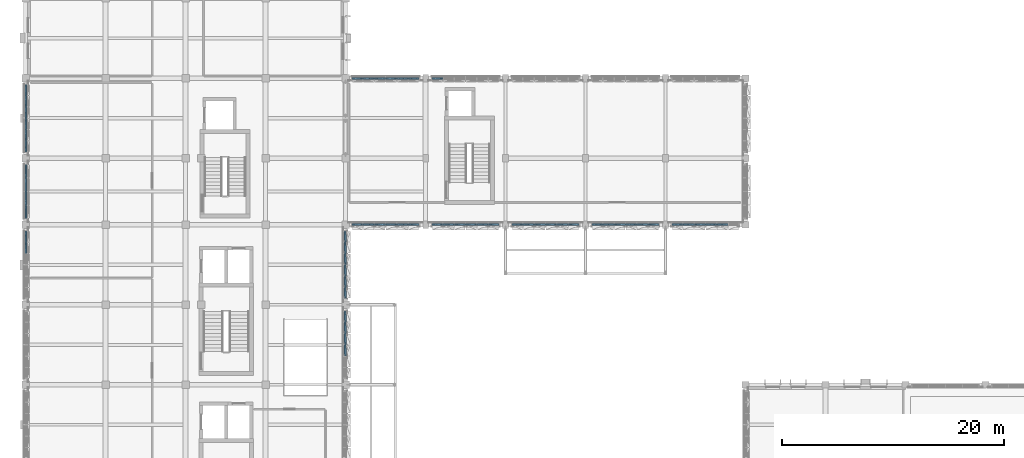
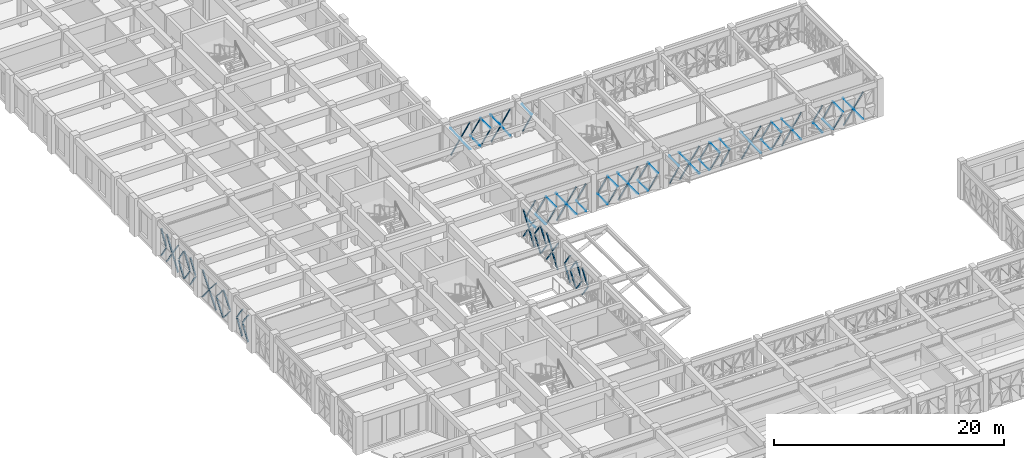
# One storey, part 53 of 88: 116 discrete accessories.
"""IFC4 building model written with IfcOpenShell, lengths in metres."""

import ifcopenshell
import ifcopenshell.guid

model = None  # the IFC model being written
_history = None  # IfcOwnerHistory: only IFC2X3 demands one
_inside = {}  # id of a spatial element -> (the spatial element, [elements in it])
_under = {}  # id of a project, library or spatial element -> (it, [spatial elements below it])
_declared = {}  # id of a project -> (the project, [libraries it declares])
_typed = {}  # id of a type object -> (the type object, [elements of that type])
_made_of = {}  # id of a material, layer set ... -> (it, [elements and type objects made of it])


def new_model(schema):
    """Start an empty IFC model of exactly this schema.

    Asked for "IFC4X3", IfcOpenShell would pick the latest addendum, in which some entities
    have other attributes; the version numbers below select the first issue.
    IFC2X3 requires an IfcOwnerHistory on every rooted entity: one is made here for all.
    """
    global model, _history
    if schema == "IFC4X3":
        model = ifcopenshell.file(schema_version=(4, 3, 0, 0))
    else:
        model = ifcopenshell.file(schema=schema)
    _inside.clear()
    _under.clear()
    _declared.clear()
    _typed.clear()
    _made_of.clear()
    _history = None
    if model.schema == "IFC2X3":
        org = make("IfcOrganization", Name="unknown")
        user = make(
            "IfcPersonAndOrganization",
            ThePerson=make("IfcPerson", FamilyName="unknown"),
            TheOrganization=org,
        )
        app = make(
            "IfcApplication",
            ApplicationDeveloper=org,
            Version="unknown",
            ApplicationFullName="unknown",
            ApplicationIdentifier="unknown",
        )
        _history = make(
            "IfcOwnerHistory",
            OwningUser=user,
            OwningApplication=app,
            ChangeAction="ADDED",
            CreationDate=0,
        )
    return model


def make(cls, **values):
    """One entity of the class cls with the attributes given. An attribute that is None is left unset."""
    return model.create_entity(
        cls, **{name: value for name, value in values.items() if value is not None}
    )


def rooted(cls, **values):
    """An entity with a GlobalId (a new one), such as an element, a storey or a relation."""
    return make(cls, GlobalId=ifcopenshell.guid.new(), OwnerHistory=_history, **values)


def si_unit(unit_type, name, prefix=None):
    """IfcSIUnit, for example si_unit("LENGTHUNIT", "METRE", prefix="MILLI")."""
    return make("IfcSIUnit", UnitType=unit_type, Prefix=prefix, Name=name)


def assignment(units):
    """IfcUnitAssignment: the units of a project."""
    return None if units is None else make("IfcUnitAssignment", Units=units)


def point(xyz):
    """IfcCartesianPoint."""
    return None if xyz is None else make("IfcCartesianPoint", Coordinates=xyz)


def direction(xyz):
    """IfcDirection."""
    return None if xyz is None else make("IfcDirection", DirectionRatios=xyz)


def frame(location, z_axis=None, x_axis=None):
    """IfcAxis2Placement3D, a coordinate frame: its origin and axes. An axis left out is left unset."""
    return make(
        "IfcAxis2Placement3D",
        Location=point(location),
        Axis=direction(z_axis),
        RefDirection=direction(x_axis),
    )


def frame_2d(location, x_axis=None):
    """IfcAxis2Placement2D, a coordinate frame in the plane: its origin and x axis."""
    return make(
        "IfcAxis2Placement2D", Location=point(location), RefDirection=direction(x_axis)
    )


def origin():
    """The frame at (0, 0, 0) with its axes left unset."""
    return frame((0.0, 0.0, 0.0))


def origin_2d():
    """The frame at (0, 0) in the plane with its x axis left unset."""
    return frame_2d((0.0, 0.0))


def place(relative_to, where):
    """IfcLocalPlacement: puts the frame where relative to a parent placement (None: the world)."""
    return make(
        "IfcLocalPlacement", PlacementRelTo=relative_to, RelativePlacement=where
    )


def context(
    kind, dimensions, precision=None, world=None, true_north=None, identifier=None
):
    """IfcGeometricRepresentationContext, for example the 3D "Model" context."""
    return make(
        "IfcGeometricRepresentationContext",
        ContextIdentifier=identifier,
        ContextType=kind,
        CoordinateSpaceDimension=dimensions,
        Precision=precision,
        WorldCoordinateSystem=world,
        TrueNorth=true_north,
    )


def subcontext(parent, identifier, kind, view, scale=None):
    """IfcGeometricRepresentationSubContext, for example "Body" below "Model"."""
    return make(
        "IfcGeometricRepresentationSubContext",
        ContextIdentifier=identifier,
        ContextType=kind,
        ParentContext=parent,
        TargetScale=scale,
        TargetView=view,
    )


def project(units=None, contexts=None):
    """IfcProject with its units and contexts."""
    return rooted(
        "IfcProject",
        Name="project",
        RepresentationContexts=contexts,
        UnitsInContext=assignment(units),
    )


def spatial(cls, under=None, at=None, **own):
    """A site, building, storey or space (cls), placed at a placement, below another one or the project."""
    s = rooted(cls, ObjectPlacement=at, **own)
    if under is not None:
        _under.setdefault(under.id(), (under, []))[1].append(s)
    return s


def profile(cls, at=None, kind="AREA", **sizes):
    """A parametric profile (cls). Its sizes go by their IFC names, for example OverallWidth=200.0."""
    return make(cls, ProfileType=kind, Position=at, **sizes)


def rectangle(**sizes):
    """IfcRectangleProfileDef."""
    return profile("IfcRectangleProfileDef", **sizes)


def extrude(swept, where, along, depth):
    """IfcExtrudedAreaSolid: the profile swept, set in the frame where, extruded along a direction by depth."""
    return make(
        "IfcExtrudedAreaSolid",
        SweptArea=swept,
        Position=where,
        ExtrudedDirection=direction(along),
        Depth=depth,
    )


def shape(context_of_items, identifier, shape_type, items):
    """IfcShapeRepresentation: the items that make up one representation, for example the "Body"."""
    return make(
        "IfcShapeRepresentation",
        ContextOfItems=context_of_items,
        RepresentationIdentifier=identifier,
        RepresentationType=shape_type,
        Items=items,
    )


def material(Name=None, Category=None):
    """IfcMaterial."""
    return make("IfcMaterial", Name=Name, Category=Category)


def made_of(thing, what):
    """Note that an element or type object is made of a material, layer set ...; save() writes the relation."""
    if what is not None:
        _made_of.setdefault(what.id(), (what, []))[1].append(thing)
    return thing


def type_object(cls, material=None, **own):
    """A type object (cls), such as IfcWallType, which elements share."""
    return made_of(rooted(cls, **own), material)


def element(
    cls,
    number,
    at=None,
    inside=None,
    cuts=None,
    type_object=None,
    material=None,
    context=None,
    identifier="Body",
    shape_type=None,
    held_by="IfcProductDefinitionShape",
    body=None,
    shapes=None,
    **own,
):
    """One element of the class cls, such as IfcWall. Its Tag is "e" and its number.

    at: its placement. inside: the storey or other place that contains it. cuts: it is an
    opening in that element (IfcRelVoidsElement). A single representation is given by context,
    identifier, shape_type and body (its items); several are given by shapes. held_by: the class
    of the entity that holds the representations. save() writes the other relations.
    """
    e = rooted(cls, Tag="e%d" % number, ObjectPlacement=at, **own)
    if body is not None:
        shapes = [shape(context, identifier, shape_type, body)]
    if shapes is not None:
        e.Representation = make(held_by, Representations=shapes)
    if inside is not None:
        _inside.setdefault(inside.id(), (inside, []))[1].append(e)
    if cuts is not None:
        rooted(
            "IfcRelVoidsElement", RelatingBuildingElement=cuts, RelatedOpeningElement=e
        )
    if type_object is not None:
        _typed.setdefault(type_object.id(), (type_object, []))[1].append(e)
    return made_of(e, material)


def aggregate(whole, parts):
    """IfcRelAggregates: a whole, such as a stair, and the parts it consists of."""
    return rooted("IfcRelAggregates", RelatingObject=whole, RelatedObjects=parts)


def save(model, path):
    """Write the relations noted so far, then the file.

    IfcRelAggregates (storeys below a building ...), IfcRelContainedInSpatialStructure (elements
    in a storey), IfcRelDefinesByType, IfcRelAssociatesMaterial and IfcRelDeclares: one each for
    every whole, place, type object, material and project.
    """
    for whole, parts in _under.values():
        aggregate(whole, parts)
    for where, things in _inside.values():
        rooted(
            "IfcRelContainedInSpatialStructure",
            RelatedElements=things,
            RelatingStructure=where,
        )
    for kind, things in _typed.values():
        rooted("IfcRelDefinesByType", RelatedObjects=things, RelatingType=kind)
    for what, things in _made_of.values():
        rooted("IfcRelAssociatesMaterial", RelatedObjects=things, RelatingMaterial=what)
    for by, libraries in _declared.values():
        rooted("IfcRelDeclares", RelatingContext=by, RelatedDefinitions=libraries)
    model.write(path)


model = new_model("IFC4")

# Units and contexts
model_context = context("Model", 3, precision=1e-05, world=origin(), true_north=direction((0.0, 1.0)))
body_context = subcontext(model_context, "Body", "Model", "MODEL_VIEW")
ifc_project = project(units=[si_unit("LENGTHUNIT", "METRE"), si_unit("AREAUNIT", "SQUARE_METRE"), si_unit("VOLUMEUNIT", "CUBIC_METRE"), si_unit("PLANEANGLEUNIT", "RADIAN"), si_unit("MASSUNIT", "GRAM", prefix="KILO")], contexts=[model_context])

# Site, building, storey
site_placement = place(None, origin())
site = spatial("IfcSite", under=ifc_project, at=site_placement, CompositionType="ELEMENT")
building_placement = place(site_placement, origin())
building = spatial("IfcBuilding", under=site, at=building_placement, Name="Alvorim Cloister Faculty of Sciences", CompositionType="ELEMENT")
storey_placement = place(building_placement, frame((0.0, 0.0, 4.5)))
storey = spatial("IfcBuildingStorey", under=building, at=storey_placement, Name="L01", CompositionType="ELEMENT", Elevation=4.5)

# Discrete accessories
ifc_material = material(Name="Aluminium Alloy 6063-T6", Category="aluminium")
discrete_accessory_type = type_object("IfcDiscreteAccessoryType", Name="ACC-DIAG-BAR", PredefinedType="BRACKET", material=ifc_material)
for number, where, z_axis, x_axis, name in (
    (1, (0.0224609375, 40.657470703125, 0.159912109375), (0.00608926839, 0.574916047252, 0.818189745366), (-0.999943913952, 0.010590984364, 0.0), "Diagonal Cassette Glazing Bracket ACC-00035"),
    (2, (0.0224609375, 40.657470703125, 3.010009765625), (0.00608926839, 0.574916047252, -0.818189745366), (-0.999943913952, 0.010590984364, 0.0), "Diagonal Cassette Glazing Bracket ACC-00036"),
):
    element("IfcDiscreteAccessory", number, at=place(storey_placement, frame(where, z_axis=z_axis, x_axis=x_axis)), inside=storey, type_object=discrete_accessory_type, Name=name, PredefinedType="BRACKET", context=body_context, shape_type="SweptSolid", body=[
        extrude(rectangle(XDim=0.139892578125, YDim=0.044921875, at=origin_2d()), origin(), (0.0, 0.0, 1.0), 1.643798828125),
    ])
for number, where, z_axis, x_axis, name in (
    (3, (0.0224609375, 41.677490234375, 0.159912109375), (0.006169296436, 0.559299386617, 0.828942782049), (-0.999939170679, 0.011029729889, 0.0), "Diagonal Cassette Glazing Bracket ACC-00037"),
    (4, (0.0224609375, 41.677490234375, 3.010009765625), (0.006169296436, 0.559299386617, -0.828942782049), (-0.999939170679, 0.011029729889, 0.0), "Diagonal Cassette Glazing Bracket ACC-00038"),
):
    element("IfcDiscreteAccessory", number, at=place(storey_placement, frame(where, z_axis=z_axis, x_axis=x_axis)), inside=storey, type_object=discrete_accessory_type, Name=name, PredefinedType="BRACKET", context=body_context, shape_type="SweptSolid", body=[
        extrude(rectangle(XDim=0.139892578125, YDim=0.044921875, at=origin_2d()), origin(), (0.0, 0.0, 1.0), 1.62255859375),
    ])
for number, where, z_axis, x_axis, name in (
    (5, (0.0224609375, 43.81494140625, 1.5048828125), (0.005723843268, 0.639115962921, -0.76908908688), (-0.999959898555, 0.008955516785, 0.0), "Diagonal Cassette Glazing Bracket ACC-00040"),
    (6, (0.0224609375, 43.81494140625, 1.6650390625), (0.005723843268, 0.639115962921, 0.76908908688), (-0.999959898555, 0.008955516785, 0.0), "Diagonal Cassette Glazing Bracket ACC-00041"),
):
    element("IfcDiscreteAccessory", number, at=place(storey_placement, frame(where, z_axis=z_axis, x_axis=x_axis)), inside=storey, type_object=discrete_accessory_type, Name=name, PredefinedType="BRACKET", context=body_context, shape_type="SweptSolid", body=[
        extrude(rectangle(XDim=0.139892578125, YDim=0.044921875, at=origin_2d()), origin(), (0.0, 0.0, 1.0), 1.748779296875),
    ])
for number, where, z_axis, x_axis, name in (
    (7, (0.0224609375, 45.007568359375, 0.159912109375), (0.005646016079, 0.651495172434, 0.758631770227), (-0.999962450223, 0.008665918508, 0.0), "Diagonal Cassette Glazing Bracket ACC-00042"),
    (8, (0.0224609375, 45.007568359375, 3.010009765625), (0.005646016079, 0.651495172434, -0.758631770227), (-0.999962450223, 0.008665918508, 0.0), "Diagonal Cassette Glazing Bracket ACC-00043"),
    (9, (0.0224609375, 46.237548828125, 0.159912109375), (0.005646016079, 0.651495172434, 0.758631770227), (-0.999962450223, 0.008665918508, 0.0), "Diagonal Cassette Glazing Bracket ACC-00044"),
    (10, (0.0224609375, 46.237548828125, 3.010009765625), (0.005646016079, 0.651495172434, -0.758631770227), (-0.999962450223, 0.008665918508, 0.0), "Diagonal Cassette Glazing Bracket ACC-00045"),
):
    element("IfcDiscreteAccessory", number, at=place(storey_placement, frame(where, z_axis=z_axis, x_axis=x_axis)), inside=storey, type_object=discrete_accessory_type, Name=name, PredefinedType="BRACKET", context=body_context, shape_type="SweptSolid", body=[
        extrude(rectangle(XDim=0.139892578125, YDim=0.044921875, at=origin_2d()), origin(), (0.0, 0.0, 1.0), 1.77294921875),
    ])
for number, where, z_axis, x_axis, name in (
    (11, (0.0224609375, 47.467529296875, 1.5048828125), (0.005724353987, 0.639033370661, -0.769157710066), (-0.999959881032, 0.008957473262, 0.0), "Diagonal Cassette Glazing Bracket ACC-00046"),
    (12, (0.0224609375, 47.467529296875, 1.6650390625), (0.005724353987, 0.639033370661, 0.769157710066), (-0.999959881032, 0.008957473262, 0.0), "Diagonal Cassette Glazing Bracket ACC-00047"),
):
    element("IfcDiscreteAccessory", number, at=place(storey_placement, frame(where, z_axis=z_axis, x_axis=x_axis)), inside=storey, type_object=discrete_accessory_type, Name=name, PredefinedType="BRACKET", context=body_context, shape_type="SweptSolid", body=[
        extrude(rectangle(XDim=0.139892578125, YDim=0.044921875, at=origin_2d()), origin(), (0.0, 0.0, 1.0), 1.74853515625),
    ])
for number, where, z_axis, x_axis, name in (
    (13, (0.0224609375, 49.81494140625, 1.5048828125), (0.006169296436, 0.559299386617, -0.828942782049), (-0.999939170679, 0.011029729889, 0.0), "Diagonal Cassette Glazing Bracket ACC-00049"),
    (14, (0.0224609375, 49.81494140625, 1.6650390625), (0.006169296436, 0.559299386617, 0.828942782049), (-0.999939170679, 0.011029729889, 0.0), "Diagonal Cassette Glazing Bracket ACC-00050"),
):
    element("IfcDiscreteAccessory", number, at=place(storey_placement, frame(where, z_axis=z_axis, x_axis=x_axis)), inside=storey, type_object=discrete_accessory_type, Name=name, PredefinedType="BRACKET", context=body_context, shape_type="SweptSolid", body=[
        extrude(rectangle(XDim=0.139892578125, YDim=0.044921875, at=origin_2d()), origin(), (0.0, 0.0, 1.0), 1.62255859375),
    ])
for number, where, z_axis, x_axis, name in (
    (15, (0.0224609375, 50.797607421875, 1.5048828125), (0.006089788326, 0.574816605447, -0.818259607081), (-0.999943884966, 0.010593720745, 0.0), "Diagonal Cassette Glazing Bracket ACC-00051"),
    (16, (0.0224609375, 50.797607421875, 1.6650390625), (0.006089788326, 0.574816605447, 0.818259607081), (-0.999943884966, 0.010593720745, 0.0), "Diagonal Cassette Glazing Bracket ACC-00052"),
    (17, (0.0224609375, 51.8173828125, 0.159912109375), (0.00608926839, 0.574916047252, 0.818189745366), (-0.999943913952, 0.010590984364, 0.0), "Diagonal Cassette Glazing Bracket ACC-00053"),
    (18, (0.0224609375, 51.8173828125, 3.010009765625), (0.00608926839, 0.574916047252, -0.818189745366), (-0.999943913952, 0.010590984364, 0.0), "Diagonal Cassette Glazing Bracket ACC-00054"),
    (19, (0.0224609375, 52.83740234375, 0.159912109375), (0.00608926839, 0.574916047252, 0.818189745366), (-0.999943913952, 0.010590984364, 0.0), "Diagonal Cassette Glazing Bracket ACC-00055"),
    (20, (0.0224609375, 52.83740234375, 3.010009765625), (0.00608926839, 0.574916047252, -0.818189745366), (-0.999943913952, 0.010590984364, 0.0), "Diagonal Cassette Glazing Bracket ACC-00056"),
    (21, (0.0224609375, 53.857421875, 1.5048828125), (0.00608926839, 0.574916047252, -0.818189745366), (-0.999943913952, 0.010590984364, 0.0), "Diagonal Cassette Glazing Bracket ACC-00057"),
    (22, (0.0224609375, 53.857421875, 1.6650390625), (0.00608926839, 0.574916047252, 0.818189745366), (-0.999943913952, 0.010590984364, 0.0), "Diagonal Cassette Glazing Bracket ACC-00058"),
):
    element("IfcDiscreteAccessory", number, at=place(storey_placement, frame(where, z_axis=z_axis, x_axis=x_axis)), inside=storey, type_object=discrete_accessory_type, Name=name, PredefinedType="BRACKET", context=body_context, shape_type="SweptSolid", body=[
        extrude(rectangle(XDim=0.139892578125, YDim=0.044921875, at=origin_2d()), origin(), (0.0, 0.0, 1.0), 1.643798828125),
    ])
for number, where, z_axis, x_axis, name in (
    (23, (0.0224609375, 54.87744140625, 1.5048828125), (0.006169296436, 0.559299386617, -0.828942782049), (-0.999939170679, 0.011029729889, 0.0), "Diagonal Cassette Glazing Bracket ACC-00059"),
    (24, (0.0224609375, 54.87744140625, 1.6650390625), (0.006169296436, 0.559299386617, 0.828942782049), (-0.999939170679, 0.011029729889, 0.0), "Diagonal Cassette Glazing Bracket ACC-00060"),
    (25, (29.4150390625, 56.37744140625, 0.159912109375), (0.559299386617, -0.006169296436, 0.828942782049), (0.011029729889, 0.999939170679, 0.0), "Diagonal Cassette Glazing Bracket ACC-00062"),
    (26, (29.4150390625, 56.37744140625, 3.010009765625), (0.559299386617, -0.006169296436, -0.828942782049), (0.011029729889, 0.999939170679, 0.0), "Diagonal Cassette Glazing Bracket ACC-00063"),
):
    element("IfcDiscreteAccessory", number, at=place(storey_placement, frame(where, z_axis=z_axis, x_axis=x_axis)), inside=storey, type_object=discrete_accessory_type, Name=name, PredefinedType="BRACKET", context=body_context, shape_type="SweptSolid", body=[
        extrude(rectangle(XDim=0.139892578125, YDim=0.044921875, at=origin_2d()), origin(), (0.0, 0.0, 1.0), 1.62255859375),
    ])
for number, where, z_axis, x_axis, name in (
    (27, (30.3974609375, 56.37744140625, 1.5048828125), (0.574916047252, -0.00608926839, -0.818189745366), (0.010590984364, 0.999943913952, 0.0), "Diagonal Cassette Glazing Bracket ACC-00064"),
    (28, (30.3974609375, 56.37744140625, 1.6650390625), (0.574916047252, -0.00608926839, 0.818189745366), (0.010590984364, 0.999943913952, 0.0), "Diagonal Cassette Glazing Bracket ACC-00065"),
    (29, (31.41748046875, 56.37744140625, 1.5048828125), (0.574916047252, -0.00608926839, -0.818189745366), (0.010590984364, 0.999943913952, 0.0), "Diagonal Cassette Glazing Bracket ACC-00066"),
    (30, (31.41748046875, 56.37744140625, 1.6650390625), (0.574916047252, -0.00608926839, 0.818189745366), (0.010590984364, 0.999943913952, 0.0), "Diagonal Cassette Glazing Bracket ACC-00067"),
    (31, (32.4375, 56.37744140625, 0.159912109375), (0.574916047252, -0.00608926839, 0.818189745366), (0.010590984364, 0.999943913952, 0.0), "Diagonal Cassette Glazing Bracket ACC-00068"),
    (32, (32.4375, 56.37744140625, 3.010009765625), (0.574916047252, -0.00608926839, -0.818189745366), (0.010590984364, 0.999943913952, 0.0), "Diagonal Cassette Glazing Bracket ACC-00069"),
    (33, (33.45751953125, 56.37744140625, 0.159912109375), (0.574916047252, -0.00608926839, 0.818189745366), (0.010590984364, 0.999943913952, 0.0), "Diagonal Cassette Glazing Bracket ACC-00070"),
    (34, (33.45751953125, 56.37744140625, 3.010009765625), (0.574916047252, -0.00608926839, -0.818189745366), (0.010590984364, 0.999943913952, 0.0), "Diagonal Cassette Glazing Bracket ACC-00071"),
):
    element("IfcDiscreteAccessory", number, at=place(storey_placement, frame(where, z_axis=z_axis, x_axis=x_axis)), inside=storey, type_object=discrete_accessory_type, Name=name, PredefinedType="BRACKET", context=body_context, shape_type="SweptSolid", body=[
        extrude(rectangle(XDim=0.139892578125, YDim=0.044921875, at=origin_2d()), origin(), (0.0, 0.0, 1.0), 1.643798828125),
    ])
for number, where, z_axis, x_axis, name in (
    (35, (34.4775390625, 56.37744140625, 1.5048828125), (0.559299386617, -0.006169296436, -0.828942782049), (0.011029729889, 0.999939170679, 0.0), "Diagonal Cassette Glazing Bracket ACC-00072"),
    (36, (34.4775390625, 56.37744140625, 1.6650390625), (0.559299386617, -0.006169296436, 0.828942782049), (0.011029729889, 0.999939170679, 0.0), "Diagonal Cassette Glazing Bracket ACC-00073"),
    (37, (36.614990234375, 56.37744140625, 0.159912109375), (0.559299386617, -0.006169296436, 0.828942782049), (0.011029729889, 0.999939170679, 0.0), "Diagonal Cassette Glazing Bracket ACC-00075"),
    (38, (36.614990234375, 56.37744140625, 3.010009765625), (0.559299386617, -0.006169296436, -0.828942782049), (0.011029729889, 0.999939170679, 0.0), "Diagonal Cassette Glazing Bracket ACC-00076"),
    (39, (58.215087890625, 43.222412109375, 1.5048828125), (0.559299386617, 0.006169296436, -0.828942782049), (-0.011029729889, 0.999939170679, 0.0), "Diagonal Cassette Glazing Bracket ACC-00149"),
    (40, (58.215087890625, 43.222412109375, 1.6650390625), (0.559299386617, 0.006169296436, 0.828942782049), (-0.011029729889, 0.999939170679, 0.0), "Diagonal Cassette Glazing Bracket ACC-00150"),
):
    element("IfcDiscreteAccessory", number, at=place(storey_placement, frame(where, z_axis=z_axis, x_axis=x_axis)), inside=storey, type_object=discrete_accessory_type, Name=name, PredefinedType="BRACKET", context=body_context, shape_type="SweptSolid", body=[
        extrude(rectangle(XDim=0.139892578125, YDim=0.044921875, at=origin_2d()), origin(), (0.0, 0.0, 1.0), 1.62255859375),
    ])
for number, where, z_axis, x_axis, name in (
    (41, (59.197509765625, 43.222412109375, 1.5048828125), (0.574916047252, 0.00608926839, -0.818189745366), (-0.010590984364, 0.999943913952, 0.0), "Diagonal Cassette Glazing Bracket ACC-00151"),
    (42, (59.197509765625, 43.222412109375, 1.6650390625), (0.574916047252, 0.00608926839, 0.818189745366), (-0.010590984364, 0.999943913952, 0.0), "Diagonal Cassette Glazing Bracket ACC-00152"),
    (43, (60.217529296875, 43.222412109375, 0.159912109375), (0.574916047252, 0.00608926839, 0.818189745366), (-0.010590984364, 0.999943913952, 0.0), "Diagonal Cassette Glazing Bracket ACC-00153"),
    (44, (60.217529296875, 43.222412109375, 3.010009765625), (0.574916047252, 0.00608926839, -0.818189745366), (-0.010590984364, 0.999943913952, 0.0), "Diagonal Cassette Glazing Bracket ACC-00154"),
    (45, (61.237548828125, 43.222412109375, 0.159912109375), (0.574916047252, 0.00608926839, 0.818189745366), (-0.010590984364, 0.999943913952, 0.0), "Diagonal Cassette Glazing Bracket ACC-00155"),
    (46, (61.237548828125, 43.222412109375, 3.010009765625), (0.574916047252, 0.00608926839, -0.818189745366), (-0.010590984364, 0.999943913952, 0.0), "Diagonal Cassette Glazing Bracket ACC-00156"),
    (47, (62.257568359375, 43.222412109375, 1.5048828125), (0.574816605447, 0.006089788326, -0.818259607081), (-0.010593720745, 0.999943884966, 0.0), "Diagonal Cassette Glazing Bracket ACC-00157"),
    (48, (62.257568359375, 43.222412109375, 1.6650390625), (0.574816605447, 0.006089788326, 0.818259607081), (-0.010593720745, 0.999943884966, 0.0), "Diagonal Cassette Glazing Bracket ACC-00158"),
):
    element("IfcDiscreteAccessory", number, at=place(storey_placement, frame(where, z_axis=z_axis, x_axis=x_axis)), inside=storey, type_object=discrete_accessory_type, Name=name, PredefinedType="BRACKET", context=body_context, shape_type="SweptSolid", body=[
        extrude(rectangle(XDim=0.139892578125, YDim=0.044921875, at=origin_2d()), origin(), (0.0, 0.0, 1.0), 1.643798828125),
    ])
for number, where, z_axis, x_axis, name in (
    (49, (51.014892578125, 43.222412109375, 0.159912109375), (0.559402774614, 0.006168777235, 0.82887301919), (-0.011026763674, 0.999939203393, 0.0), "Diagonal Cassette Glazing Bracket ACC-00162"),
    (50, (51.014892578125, 43.222412109375, 3.010009765625), (0.559402774614, 0.006168777235, -0.82887301919), (-0.011026763674, 0.999939203393, 0.0), "Diagonal Cassette Glazing Bracket ACC-00163"),
):
    element("IfcDiscreteAccessory", number, at=place(storey_placement, frame(where, z_axis=z_axis, x_axis=x_axis)), inside=storey, type_object=discrete_accessory_type, Name=name, PredefinedType="BRACKET", context=body_context, shape_type="SweptSolid", body=[
        extrude(rectangle(XDim=0.139892578125, YDim=0.044921875, at=origin_2d()), origin(), (0.0, 0.0, 1.0), 1.62255859375),
    ])
for number, where, z_axis, x_axis, name in (
    (51, (51.99755859375, 43.222412109375, 1.5048828125), (0.574816605447, 0.006089788326, -0.818259607081), (-0.010593720745, 0.999943884966, 0.0), "Diagonal Cassette Glazing Bracket ACC-00164"),
    (52, (51.99755859375, 43.222412109375, 1.6650390625), (0.574816605447, 0.006089788326, 0.818259607081), (-0.010593720745, 0.999943884966, 0.0), "Diagonal Cassette Glazing Bracket ACC-00165"),
    (53, (53.017578125, 43.222412109375, 1.5048828125), (0.574816605447, 0.006089788326, -0.818259607081), (-0.010593720745, 0.999943884966, 0.0), "Diagonal Cassette Glazing Bracket ACC-00166"),
    (54, (53.017578125, 43.222412109375, 1.6650390625), (0.574816605447, 0.006089788326, 0.818259607081), (-0.010593720745, 0.999943884966, 0.0), "Diagonal Cassette Glazing Bracket ACC-00167"),
    (55, (54.03759765625, 43.222412109375, 0.159912109375), (0.574816605447, 0.006089788326, 0.818259607081), (-0.010593720745, 0.999943884966, 0.0), "Diagonal Cassette Glazing Bracket ACC-00168"),
    (56, (54.03759765625, 43.222412109375, 3.010009765625), (0.574816605447, 0.006089788326, -0.818259607081), (-0.010593720745, 0.999943884966, 0.0), "Diagonal Cassette Glazing Bracket ACC-00169"),
    (57, (55.0576171875, 43.222412109375, 0.159912109375), (0.574816605447, 0.006089788326, 0.818259607081), (-0.010593720745, 0.999943884966, 0.0), "Diagonal Cassette Glazing Bracket ACC-00170"),
    (58, (55.0576171875, 43.222412109375, 3.010009765625), (0.574816605447, 0.006089788326, -0.818259607081), (-0.010593720745, 0.999943884966, 0.0), "Diagonal Cassette Glazing Bracket ACC-00171"),
):
    element("IfcDiscreteAccessory", number, at=place(storey_placement, frame(where, z_axis=z_axis, x_axis=x_axis)), inside=storey, type_object=discrete_accessory_type, Name=name, PredefinedType="BRACKET", context=body_context, shape_type="SweptSolid", body=[
        extrude(rectangle(XDim=0.139892578125, YDim=0.044921875, at=origin_2d()), origin(), (0.0, 0.0, 1.0), 1.643798828125),
    ])
for number, where, z_axis, x_axis, name in (
    (59, (56.077392578125, 43.222412109375, 1.5048828125), (0.559402774614, 0.006168777235, -0.82887301919), (-0.011026763674, 0.999939203393, 0.0), "Diagonal Cassette Glazing Bracket ACC-00172"),
    (60, (56.077392578125, 43.222412109375, 1.6650390625), (0.559402774614, 0.006168777235, 0.82887301919), (-0.011026763674, 0.999939203393, 0.0), "Diagonal Cassette Glazing Bracket ACC-00173"),
    (61, (43.81494140625, 43.222412109375, 0.159912109375), (0.559299386617, 0.006169296436, 0.828942782049), (-0.011029729889, 0.999939170679, 0.0), "Diagonal Cassette Glazing Bracket ACC-00175"),
    (62, (43.81494140625, 43.222412109375, 3.010009765625), (0.559299386617, 0.006169296436, -0.828942782049), (-0.011029729889, 0.999939170679, 0.0), "Diagonal Cassette Glazing Bracket ACC-00176"),
):
    element("IfcDiscreteAccessory", number, at=place(storey_placement, frame(where, z_axis=z_axis, x_axis=x_axis)), inside=storey, type_object=discrete_accessory_type, Name=name, PredefinedType="BRACKET", context=body_context, shape_type="SweptSolid", body=[
        extrude(rectangle(XDim=0.139892578125, YDim=0.044921875, at=origin_2d()), origin(), (0.0, 0.0, 1.0), 1.62255859375),
    ])
for number, where, z_axis, x_axis, name in (
    (63, (44.797607421875, 43.222412109375, 0.159912109375), (0.574816605447, 0.006089788326, 0.818259607081), (-0.010593720745, 0.999943884966, 0.0), "Diagonal Cassette Glazing Bracket ACC-00177"),
    (64, (44.797607421875, 43.222412109375, 3.010009765625), (0.574816605447, 0.006089788326, -0.818259607081), (-0.010593720745, 0.999943884966, 0.0), "Diagonal Cassette Glazing Bracket ACC-00178"),
    (65, (45.8173828125, 43.222412109375, 1.5048828125), (0.574916047252, 0.00608926839, -0.818189745366), (-0.010590984364, 0.999943913952, 0.0), "Diagonal Cassette Glazing Bracket ACC-00179"),
    (66, (45.8173828125, 43.222412109375, 1.6650390625), (0.574916047252, 0.00608926839, 0.818189745366), (-0.010590984364, 0.999943913952, 0.0), "Diagonal Cassette Glazing Bracket ACC-00180"),
    (67, (46.83740234375, 43.222412109375, 1.5048828125), (0.574916047252, 0.00608926839, -0.818189745366), (-0.010590984364, 0.999943913952, 0.0), "Diagonal Cassette Glazing Bracket ACC-00181"),
    (68, (46.83740234375, 43.222412109375, 1.6650390625), (0.574916047252, 0.00608926839, 0.818189745366), (-0.010590984364, 0.999943913952, 0.0), "Diagonal Cassette Glazing Bracket ACC-00182"),
    (69, (47.857421875, 43.222412109375, 0.159912109375), (0.574916047252, 0.00608926839, 0.818189745366), (-0.010590984364, 0.999943913952, 0.0), "Diagonal Cassette Glazing Bracket ACC-00183"),
    (70, (47.857421875, 43.222412109375, 3.010009765625), (0.574916047252, 0.00608926839, -0.818189745366), (-0.010590984364, 0.999943913952, 0.0), "Diagonal Cassette Glazing Bracket ACC-00184"),
):
    element("IfcDiscreteAccessory", number, at=place(storey_placement, frame(where, z_axis=z_axis, x_axis=x_axis)), inside=storey, type_object=discrete_accessory_type, Name=name, PredefinedType="BRACKET", context=body_context, shape_type="SweptSolid", body=[
        extrude(rectangle(XDim=0.139892578125, YDim=0.044921875, at=origin_2d()), origin(), (0.0, 0.0, 1.0), 1.643798828125),
    ])
for number, where, z_axis, x_axis, name in (
    (71, (48.87744140625, 43.222412109375, 0.159912109375), (0.559299386617, 0.006169296436, 0.828942782049), (-0.011029729889, 0.999939170679, 0.0), "Diagonal Cassette Glazing Bracket ACC-00185"),
    (72, (48.87744140625, 43.222412109375, 3.010009765625), (0.559299386617, 0.006169296436, -0.828942782049), (-0.011029729889, 0.999939170679, 0.0), "Diagonal Cassette Glazing Bracket ACC-00186"),
    (73, (36.614990234375, 43.222412109375, 1.5048828125), (0.559299386617, 0.006169296436, -0.828942782049), (-0.011029729889, 0.999939170679, 0.0), "Diagonal Cassette Glazing Bracket ACC-00188"),
    (74, (36.614990234375, 43.222412109375, 1.6650390625), (0.559299386617, 0.006169296436, 0.828942782049), (-0.011029729889, 0.999939170679, 0.0), "Diagonal Cassette Glazing Bracket ACC-00189"),
):
    element("IfcDiscreteAccessory", number, at=place(storey_placement, frame(where, z_axis=z_axis, x_axis=x_axis)), inside=storey, type_object=discrete_accessory_type, Name=name, PredefinedType="BRACKET", context=body_context, shape_type="SweptSolid", body=[
        extrude(rectangle(XDim=0.139892578125, YDim=0.044921875, at=origin_2d()), origin(), (0.0, 0.0, 1.0), 1.62255859375),
    ])
for number, where, z_axis, x_axis, name in (
    (75, (37.597412109375, 43.222412109375, 0.159912109375), (0.574916047252, 0.00608926839, 0.818189745366), (-0.010590984364, 0.999943913952, 0.0), "Diagonal Cassette Glazing Bracket ACC-00190"),
    (76, (37.597412109375, 43.222412109375, 3.010009765625), (0.574916047252, 0.00608926839, -0.818189745366), (-0.010590984364, 0.999943913952, 0.0), "Diagonal Cassette Glazing Bracket ACC-00191"),
    (77, (38.617431640625, 43.222412109375, 0.159912109375), (0.574916047252, 0.00608926839, 0.818189745366), (-0.010590984364, 0.999943913952, 0.0), "Diagonal Cassette Glazing Bracket ACC-00192"),
    (78, (38.617431640625, 43.222412109375, 3.010009765625), (0.574916047252, 0.00608926839, -0.818189745366), (-0.010590984364, 0.999943913952, 0.0), "Diagonal Cassette Glazing Bracket ACC-00193"),
    (79, (39.637451171875, 43.222412109375, 1.5048828125), (0.574916047252, 0.00608926839, -0.818189745366), (-0.010590984364, 0.999943913952, 0.0), "Diagonal Cassette Glazing Bracket ACC-00194"),
    (80, (39.637451171875, 43.222412109375, 1.6650390625), (0.574916047252, 0.00608926839, 0.818189745366), (-0.010590984364, 0.999943913952, 0.0), "Diagonal Cassette Glazing Bracket ACC-00195"),
    (81, (40.657470703125, 43.222412109375, 1.5048828125), (0.574916047252, 0.00608926839, -0.818189745366), (-0.010590984364, 0.999943913952, 0.0), "Diagonal Cassette Glazing Bracket ACC-00196"),
    (82, (40.657470703125, 43.222412109375, 1.6650390625), (0.574916047252, 0.00608926839, 0.818189745366), (-0.010590984364, 0.999943913952, 0.0), "Diagonal Cassette Glazing Bracket ACC-00197"),
):
    element("IfcDiscreteAccessory", number, at=place(storey_placement, frame(where, z_axis=z_axis, x_axis=x_axis)), inside=storey, type_object=discrete_accessory_type, Name=name, PredefinedType="BRACKET", context=body_context, shape_type="SweptSolid", body=[
        extrude(rectangle(XDim=0.139892578125, YDim=0.044921875, at=origin_2d()), origin(), (0.0, 0.0, 1.0), 1.643798828125),
    ])
for number, where, z_axis, x_axis, name in (
    (83, (41.677490234375, 43.222412109375, 0.159912109375), (0.559299386617, 0.006169296436, 0.828942782049), (-0.011029729889, 0.999939170679, 0.0), "Diagonal Cassette Glazing Bracket ACC-00198"),
    (84, (41.677490234375, 43.222412109375, 3.010009765625), (0.559299386617, 0.006169296436, -0.828942782049), (-0.011029729889, 0.999939170679, 0.0), "Diagonal Cassette Glazing Bracket ACC-00199"),
    (85, (29.4150390625, 43.222412109375, 1.5048828125), (0.559299386617, 0.006169296436, -0.828942782049), (-0.011029729889, 0.999939170679, 0.0), "Diagonal Cassette Glazing Bracket ACC-00201"),
    (86, (29.4150390625, 43.222412109375, 1.6650390625), (0.559299386617, 0.006169296436, 0.828942782049), (-0.011029729889, 0.999939170679, 0.0), "Diagonal Cassette Glazing Bracket ACC-00202"),
):
    element("IfcDiscreteAccessory", number, at=place(storey_placement, frame(where, z_axis=z_axis, x_axis=x_axis)), inside=storey, type_object=discrete_accessory_type, Name=name, PredefinedType="BRACKET", context=body_context, shape_type="SweptSolid", body=[
        extrude(rectangle(XDim=0.139892578125, YDim=0.044921875, at=origin_2d()), origin(), (0.0, 0.0, 1.0), 1.62255859375),
    ])
for number, where, z_axis, x_axis, name in (
    (87, (30.3974609375, 43.222412109375, 1.5048828125), (0.574916047252, 0.00608926839, -0.818189745366), (-0.010590984364, 0.999943913952, 0.0), "Diagonal Cassette Glazing Bracket ACC-00203"),
    (88, (30.3974609375, 43.222412109375, 1.6650390625), (0.574916047252, 0.00608926839, 0.818189745366), (-0.010590984364, 0.999943913952, 0.0), "Diagonal Cassette Glazing Bracket ACC-00204"),
    (89, (31.41748046875, 43.222412109375, 0.159912109375), (0.574916047252, 0.00608926839, 0.818189745366), (-0.010590984364, 0.999943913952, 0.0), "Diagonal Cassette Glazing Bracket ACC-00205"),
    (90, (31.41748046875, 43.222412109375, 3.010009765625), (0.574916047252, 0.00608926839, -0.818189745366), (-0.010590984364, 0.999943913952, 0.0), "Diagonal Cassette Glazing Bracket ACC-00206"),
    (91, (32.4375, 43.222412109375, 0.159912109375), (0.574916047252, 0.00608926839, 0.818189745366), (-0.010590984364, 0.999943913952, 0.0), "Diagonal Cassette Glazing Bracket ACC-00207"),
    (92, (32.4375, 43.222412109375, 3.010009765625), (0.574916047252, 0.00608926839, -0.818189745366), (-0.010590984364, 0.999943913952, 0.0), "Diagonal Cassette Glazing Bracket ACC-00208"),
    (93, (33.45751953125, 43.222412109375, 1.5048828125), (0.574916047252, 0.00608926839, -0.818189745366), (-0.010590984364, 0.999943913952, 0.0), "Diagonal Cassette Glazing Bracket ACC-00209"),
    (94, (33.45751953125, 43.222412109375, 1.6650390625), (0.574916047252, 0.00608926839, 0.818189745366), (-0.010590984364, 0.999943913952, 0.0), "Diagonal Cassette Glazing Bracket ACC-00210"),
):
    element("IfcDiscreteAccessory", number, at=place(storey_placement, frame(where, z_axis=z_axis, x_axis=x_axis)), inside=storey, type_object=discrete_accessory_type, Name=name, PredefinedType="BRACKET", context=body_context, shape_type="SweptSolid", body=[
        extrude(rectangle(XDim=0.139892578125, YDim=0.044921875, at=origin_2d()), origin(), (0.0, 0.0, 1.0), 1.643798828125),
    ])
for number, where, z_axis, x_axis, name in (
    (95, (34.4775390625, 43.222412109375, 1.5048828125), (0.559299386617, 0.006169296436, -0.828942782049), (-0.011029729889, 0.999939170679, 0.0), "Diagonal Cassette Glazing Bracket ACC-00211"),
    (96, (34.4775390625, 43.222412109375, 1.6650390625), (0.559299386617, 0.006169296436, 0.828942782049), (-0.011029729889, 0.999939170679, 0.0), "Diagonal Cassette Glazing Bracket ACC-00212"),
    (97, (28.777587890625, 36.614990234375, 0.159912109375), (-0.006169296436, 0.559299386617, 0.828942782049), (-0.999939170679, -0.011029729889, 0.0), "Diagonal Cassette Glazing Bracket ACC-00214"),
    (98, (28.777587890625, 36.614990234375, 3.010009765625), (-0.006169296436, 0.559299386617, -0.828942782049), (-0.999939170679, -0.011029729889, 0.0), "Diagonal Cassette Glazing Bracket ACC-00215"),
):
    element("IfcDiscreteAccessory", number, at=place(storey_placement, frame(where, z_axis=z_axis, x_axis=x_axis)), inside=storey, type_object=discrete_accessory_type, Name=name, PredefinedType="BRACKET", context=body_context, shape_type="SweptSolid", body=[
        extrude(rectangle(XDim=0.139892578125, YDim=0.044921875, at=origin_2d()), origin(), (0.0, 0.0, 1.0), 1.62255859375),
    ])
for number, where, z_axis, x_axis, name in (
    (99, (28.777587890625, 37.597412109375, 1.5048828125), (-0.00608926839, 0.574916047252, -0.818189745366), (-0.999943913952, -0.010590984364, 0.0), "Diagonal Cassette Glazing Bracket ACC-00216"),
    (100, (28.777587890625, 37.597412109375, 1.6650390625), (-0.00608926839, 0.574916047252, 0.818189745366), (-0.999943913952, -0.010590984364, 0.0), "Diagonal Cassette Glazing Bracket ACC-00217"),
    (101, (28.777587890625, 38.617431640625, 1.5048828125), (-0.00608926839, 0.574916047252, -0.818189745366), (-0.999943913952, -0.010590984364, 0.0), "Diagonal Cassette Glazing Bracket ACC-00218"),
    (102, (28.777587890625, 38.617431640625, 1.6650390625), (-0.00608926839, 0.574916047252, 0.818189745366), (-0.999943913952, -0.010590984364, 0.0), "Diagonal Cassette Glazing Bracket ACC-00219"),
    (103, (28.777587890625, 39.637451171875, 0.159912109375), (-0.00608926839, 0.574916047252, 0.818189745366), (-0.999943913952, -0.010590984364, 0.0), "Diagonal Cassette Glazing Bracket ACC-00220"),
    (104, (28.777587890625, 39.637451171875, 3.010009765625), (-0.00608926839, 0.574916047252, -0.818189745366), (-0.999943913952, -0.010590984364, 0.0), "Diagonal Cassette Glazing Bracket ACC-00221"),
    (105, (28.777587890625, 40.657470703125, 0.159912109375), (-0.00608926839, 0.574916047252, 0.818189745366), (-0.999943913952, -0.010590984364, 0.0), "Diagonal Cassette Glazing Bracket ACC-00222"),
    (106, (28.777587890625, 40.657470703125, 3.010009765625), (-0.00608926839, 0.574916047252, -0.818189745366), (-0.999943913952, -0.010590984364, 0.0), "Diagonal Cassette Glazing Bracket ACC-00223"),
):
    element("IfcDiscreteAccessory", number, at=place(storey_placement, frame(where, z_axis=z_axis, x_axis=x_axis)), inside=storey, type_object=discrete_accessory_type, Name=name, PredefinedType="BRACKET", context=body_context, shape_type="SweptSolid", body=[
        extrude(rectangle(XDim=0.139892578125, YDim=0.044921875, at=origin_2d()), origin(), (0.0, 0.0, 1.0), 1.643798828125),
    ])
for number, where, z_axis, x_axis, name in (
    (107, (28.777587890625, 41.677490234375, 1.5048828125), (-0.006169296436, 0.559299386617, -0.828942782049), (-0.999939170679, -0.011029729889, 0.0), "Diagonal Cassette Glazing Bracket ACC-00224"),
    (108, (28.777587890625, 41.677490234375, 1.6650390625), (-0.006169296436, 0.559299386617, 0.828942782049), (-0.999939170679, -0.011029729889, 0.0), "Diagonal Cassette Glazing Bracket ACC-00225"),
):
    element("IfcDiscreteAccessory", number, at=place(storey_placement, frame(where, z_axis=z_axis, x_axis=x_axis)), inside=storey, type_object=discrete_accessory_type, Name=name, PredefinedType="BRACKET", context=body_context, shape_type="SweptSolid", body=[
        extrude(rectangle(XDim=0.139892578125, YDim=0.044921875, at=origin_2d()), origin(), (0.0, 0.0, 1.0), 1.62255859375),
    ])
for number, where, z_axis, x_axis, name in (
    (109, (28.777587890625, 31.41748046875, 1.5048828125), (-0.00608926839, 0.574916047252, -0.818189745366), (-0.999943913952, -0.010590984364, 0.0), "Diagonal Cassette Glazing Bracket ACC-00231"),
    (110, (28.777587890625, 31.41748046875, 1.6650390625), (-0.00608926839, 0.574916047252, 0.818189745366), (-0.999943913952, -0.010590984364, 0.0), "Diagonal Cassette Glazing Bracket ACC-00232"),
    (111, (28.777587890625, 32.4375, 1.5048828125), (-0.00608926839, 0.574916047252, -0.818189745366), (-0.999943913952, -0.010590984364, 0.0), "Diagonal Cassette Glazing Bracket ACC-00233"),
    (112, (28.777587890625, 32.4375, 1.6650390625), (-0.00608926839, 0.574916047252, 0.818189745366), (-0.999943913952, -0.010590984364, 0.0), "Diagonal Cassette Glazing Bracket ACC-00234"),
    (113, (28.777587890625, 33.45751953125, 0.159912109375), (-0.00608926839, 0.574916047252, 0.818189745366), (-0.999943913952, -0.010590984364, 0.0), "Diagonal Cassette Glazing Bracket ACC-00235"),
    (114, (28.777587890625, 33.45751953125, 3.010009765625), (-0.00608926839, 0.574916047252, -0.818189745366), (-0.999943913952, -0.010590984364, 0.0), "Diagonal Cassette Glazing Bracket ACC-00236"),
):
    element("IfcDiscreteAccessory", number, at=place(storey_placement, frame(where, z_axis=z_axis, x_axis=x_axis)), inside=storey, type_object=discrete_accessory_type, Name=name, PredefinedType="BRACKET", context=body_context, shape_type="SweptSolid", body=[
        extrude(rectangle(XDim=0.139892578125, YDim=0.044921875, at=origin_2d()), origin(), (0.0, 0.0, 1.0), 1.643798828125),
    ])
for number, where, z_axis, x_axis, name in (
    (115, (28.777587890625, 34.4775390625, 0.159912109375), (-0.006169296436, 0.559299386617, 0.828942782049), (-0.999939170679, -0.011029729889, 0.0), "Diagonal Cassette Glazing Bracket ACC-00237"),
    (116, (28.777587890625, 34.4775390625, 3.010009765625), (-0.006169296436, 0.559299386617, -0.828942782049), (-0.999939170679, -0.011029729889, 0.0), "Diagonal Cassette Glazing Bracket ACC-00238"),
):
    element("IfcDiscreteAccessory", number, at=place(storey_placement, frame(where, z_axis=z_axis, x_axis=x_axis)), inside=storey, type_object=discrete_accessory_type, Name=name, PredefinedType="BRACKET", context=body_context, shape_type="SweptSolid", body=[
        extrude(rectangle(XDim=0.139892578125, YDim=0.044921875, at=origin_2d()), origin(), (0.0, 0.0, 1.0), 1.62255859375),
    ])

save(model, "model.ifc")
